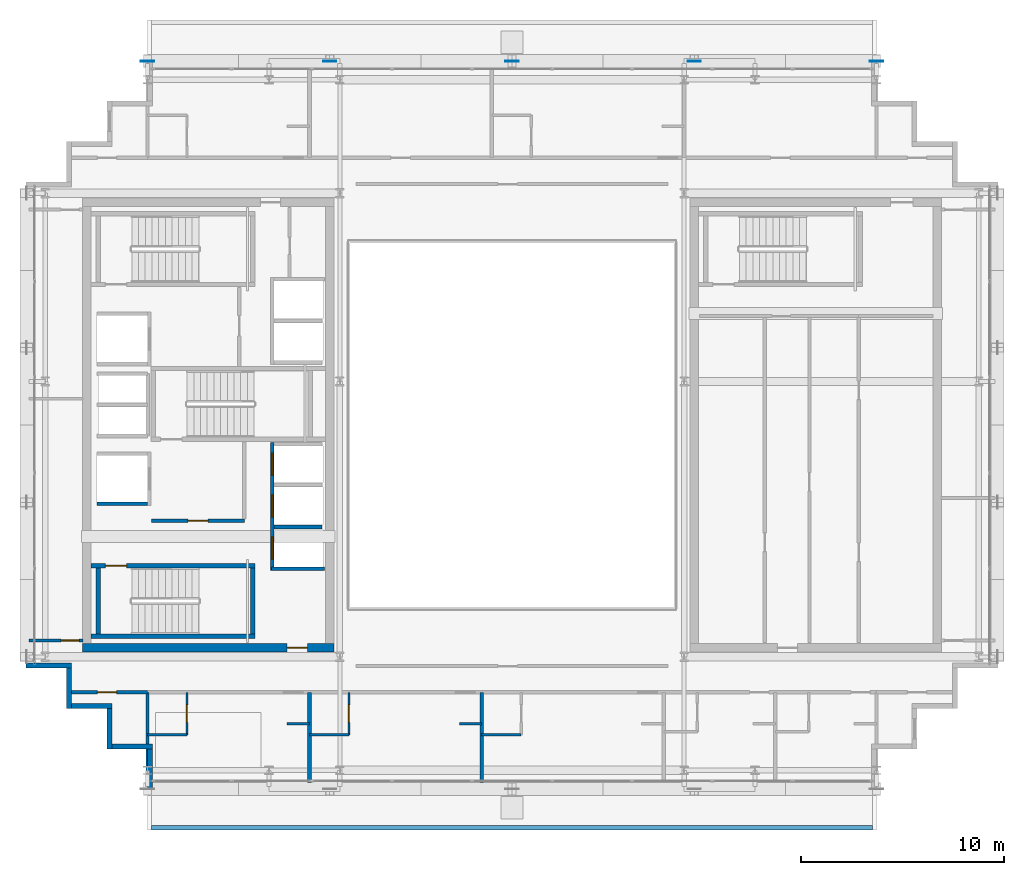
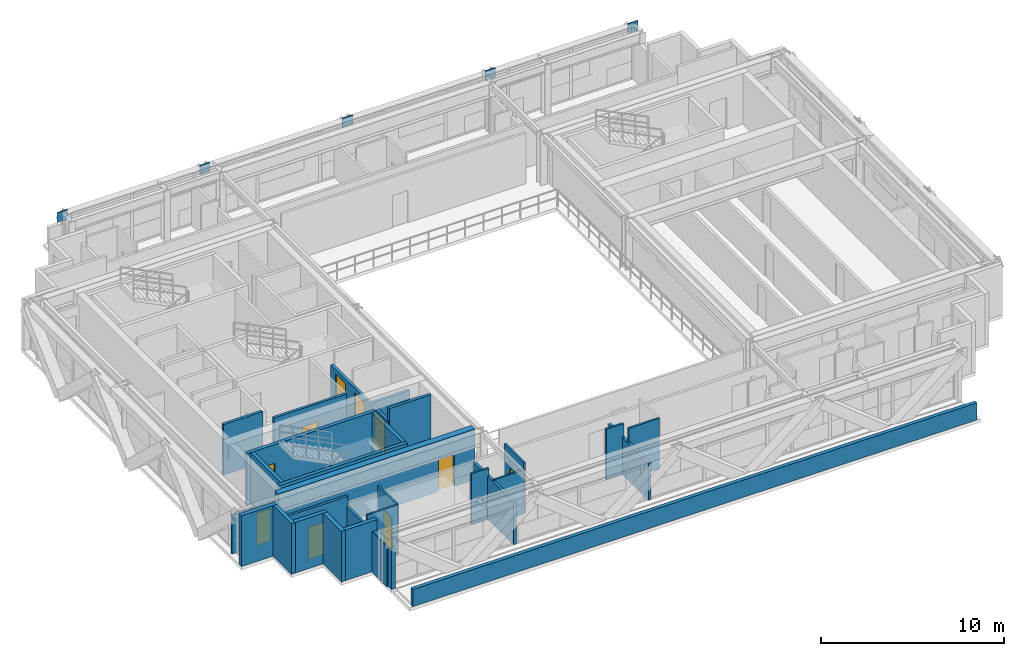
# One storey, part 19 of 27: 29 walls, 10 doors, 5 plates, 10 openings.
"""IFC4 building model written with IfcOpenShell, lengths in metres."""

import ifcopenshell
import ifcopenshell.guid

model = None  # the IFC model being written
_history = None  # IfcOwnerHistory: only IFC2X3 demands one
_inside = {}  # id of a spatial element -> (the spatial element, [elements in it])
_under = {}  # id of a project, library or spatial element -> (it, [spatial elements below it])
_declared = {}  # id of a project -> (the project, [libraries it declares])
_typed = {}  # id of a type object -> (the type object, [elements of that type])
_made_of = {}  # id of a material, layer set ... -> (it, [elements and type objects made of it])


def new_model(schema):
    """Start an empty IFC model of exactly this schema.

    Asked for "IFC4X3", IfcOpenShell would pick the latest addendum, in which some entities
    have other attributes; the version numbers below select the first issue.
    IFC2X3 requires an IfcOwnerHistory on every rooted entity: one is made here for all.
    """
    global model, _history
    if schema == "IFC4X3":
        model = ifcopenshell.file(schema_version=(4, 3, 0, 0))
    else:
        model = ifcopenshell.file(schema=schema)
    _inside.clear()
    _under.clear()
    _declared.clear()
    _typed.clear()
    _made_of.clear()
    _history = None
    if model.schema == "IFC2X3":
        org = make("IfcOrganization", Name="unknown")
        user = make(
            "IfcPersonAndOrganization",
            ThePerson=make("IfcPerson", FamilyName="unknown"),
            TheOrganization=org,
        )
        app = make(
            "IfcApplication",
            ApplicationDeveloper=org,
            Version="unknown",
            ApplicationFullName="unknown",
            ApplicationIdentifier="unknown",
        )
        _history = make(
            "IfcOwnerHistory",
            OwningUser=user,
            OwningApplication=app,
            ChangeAction="ADDED",
            CreationDate=0,
        )
    return model


def make(cls, **values):
    """One entity of the class cls with the attributes given. An attribute that is None is left unset."""
    return model.create_entity(
        cls, **{name: value for name, value in values.items() if value is not None}
    )


def rooted(cls, **values):
    """An entity with a GlobalId (a new one), such as an element, a storey or a relation."""
    return make(cls, GlobalId=ifcopenshell.guid.new(), OwnerHistory=_history, **values)


def si_unit(unit_type, name, prefix=None):
    """IfcSIUnit, for example si_unit("LENGTHUNIT", "METRE", prefix="MILLI")."""
    return make("IfcSIUnit", UnitType=unit_type, Prefix=prefix, Name=name)


def assignment(units):
    """IfcUnitAssignment: the units of a project."""
    return None if units is None else make("IfcUnitAssignment", Units=units)


def point(xyz):
    """IfcCartesianPoint."""
    return None if xyz is None else make("IfcCartesianPoint", Coordinates=xyz)


def direction(xyz):
    """IfcDirection."""
    return None if xyz is None else make("IfcDirection", DirectionRatios=xyz)


def frame(location, z_axis=None, x_axis=None):
    """IfcAxis2Placement3D, a coordinate frame: its origin and axes. An axis left out is left unset."""
    return make(
        "IfcAxis2Placement3D",
        Location=point(location),
        Axis=direction(z_axis),
        RefDirection=direction(x_axis),
    )


def frame_2d(location, x_axis=None):
    """IfcAxis2Placement2D, a coordinate frame in the plane: its origin and x axis."""
    return make(
        "IfcAxis2Placement2D", Location=point(location), RefDirection=direction(x_axis)
    )


def origin():
    """The frame at (0, 0, 0) with its axes left unset."""
    return frame((0.0, 0.0, 0.0))


def origin_2d():
    """The frame at (0, 0) in the plane with its x axis left unset."""
    return frame_2d((0.0, 0.0))


def place(relative_to, where):
    """IfcLocalPlacement: puts the frame where relative to a parent placement (None: the world)."""
    return make(
        "IfcLocalPlacement", PlacementRelTo=relative_to, RelativePlacement=where
    )


def context(
    kind, dimensions, precision=None, world=None, true_north=None, identifier=None
):
    """IfcGeometricRepresentationContext, for example the 3D "Model" context."""
    return make(
        "IfcGeometricRepresentationContext",
        ContextIdentifier=identifier,
        ContextType=kind,
        CoordinateSpaceDimension=dimensions,
        Precision=precision,
        WorldCoordinateSystem=world,
        TrueNorth=true_north,
    )


def subcontext(parent, identifier, kind, view, scale=None):
    """IfcGeometricRepresentationSubContext, for example "Body" below "Model"."""
    return make(
        "IfcGeometricRepresentationSubContext",
        ContextIdentifier=identifier,
        ContextType=kind,
        ParentContext=parent,
        TargetScale=scale,
        TargetView=view,
    )


def project(units=None, contexts=None):
    """IfcProject with its units and contexts."""
    return rooted(
        "IfcProject",
        Name="project",
        RepresentationContexts=contexts,
        UnitsInContext=assignment(units),
    )


def spatial(cls, under=None, at=None, **own):
    """A site, building, storey or space (cls), placed at a placement, below another one or the project."""
    s = rooted(cls, ObjectPlacement=at, **own)
    if under is not None:
        _under.setdefault(under.id(), (under, []))[1].append(s)
    return s


def profile(cls, at=None, kind="AREA", **sizes):
    """A parametric profile (cls). Its sizes go by their IFC names, for example OverallWidth=200.0."""
    return make(cls, ProfileType=kind, Position=at, **sizes)


def rectangle(**sizes):
    """IfcRectangleProfileDef."""
    return profile("IfcRectangleProfileDef", **sizes)


def extrude(swept, where, along, depth):
    """IfcExtrudedAreaSolid: the profile swept, set in the frame where, extruded along a direction by depth."""
    return make(
        "IfcExtrudedAreaSolid",
        SweptArea=swept,
        Position=where,
        ExtrudedDirection=direction(along),
        Depth=depth,
    )


def shape(context_of_items, identifier, shape_type, items):
    """IfcShapeRepresentation: the items that make up one representation, for example the "Body"."""
    return make(
        "IfcShapeRepresentation",
        ContextOfItems=context_of_items,
        RepresentationIdentifier=identifier,
        RepresentationType=shape_type,
        Items=items,
    )


def source(mapping_origin, context_of_items, identifier, shape_type, items):
    """IfcRepresentationMap: a shape defined once, which mapped items show again and again."""
    return make(
        "IfcRepresentationMap",
        MappingOrigin=mapping_origin,
        MappedRepresentation=shape(context_of_items, identifier, shape_type, items),
    )


def transform(
    local_origin,
    x_axis=None,
    y_axis=None,
    z_axis=None,
    scale=None,
    scale2=None,
    scale3=None,
    uniform=True,
):
    """IfcCartesianTransformationOperator3D, or its non-uniform kind. x_axis, y_axis, z_axis: its Axis1, 2, 3."""
    if uniform:
        return make(
            "IfcCartesianTransformationOperator3D",
            Axis1=direction(x_axis),
            Axis2=direction(y_axis),
            LocalOrigin=point(local_origin),
            Scale=scale,
            Axis3=direction(z_axis),
        )
    return make(
        "IfcCartesianTransformationOperator3DnonUniform",
        Axis1=direction(x_axis),
        Axis2=direction(y_axis),
        LocalOrigin=point(local_origin),
        Scale=scale,
        Axis3=direction(z_axis),
        Scale2=scale2,
        Scale3=scale3,
    )


def mapped(mapping_source, mapping_target):
    """IfcMappedItem: shows the shape of a source again, moved by a transform."""
    return make(
        "IfcMappedItem", MappingSource=mapping_source, MappingTarget=mapping_target
    )


def material(Name=None, Category=None):
    """IfcMaterial."""
    return make("IfcMaterial", Name=Name, Category=Category)


def layer(
    of_material, thickness, ventilated=None, Name=None, Category=None, Priority=None
):
    """IfcMaterialLayer: one layer of a wall or slab, of a material (None: an air gap)."""
    return make(
        "IfcMaterialLayer",
        Material=of_material,
        LayerThickness=thickness,
        IsVentilated=ventilated,
        Name=Name,
        Category=Category,
        Priority=Priority,
    )


def layer_set(layers, Name=None):
    """IfcMaterialLayerSet."""
    return make("IfcMaterialLayerSet", MaterialLayers=layers, LayerSetName=Name)


def made_of(thing, what):
    """Note that an element or type object is made of a material, layer set ...; save() writes the relation."""
    if what is not None:
        _made_of.setdefault(what.id(), (what, []))[1].append(thing)
    return thing


def type_object(cls, material=None, **own):
    """A type object (cls), such as IfcWallType, which elements share."""
    return made_of(rooted(cls, **own), material)


def element(
    cls,
    number,
    at=None,
    inside=None,
    cuts=None,
    type_object=None,
    material=None,
    context=None,
    identifier="Body",
    shape_type=None,
    held_by="IfcProductDefinitionShape",
    body=None,
    shapes=None,
    **own,
):
    """One element of the class cls, such as IfcWall. Its Tag is "e" and its number.

    at: its placement. inside: the storey or other place that contains it. cuts: it is an
    opening in that element (IfcRelVoidsElement). A single representation is given by context,
    identifier, shape_type and body (its items); several are given by shapes. held_by: the class
    of the entity that holds the representations. save() writes the other relations.
    """
    e = rooted(cls, Tag="e%d" % number, ObjectPlacement=at, **own)
    if body is not None:
        shapes = [shape(context, identifier, shape_type, body)]
    if shapes is not None:
        e.Representation = make(held_by, Representations=shapes)
    if inside is not None:
        _inside.setdefault(inside.id(), (inside, []))[1].append(e)
    if cuts is not None:
        rooted(
            "IfcRelVoidsElement", RelatingBuildingElement=cuts, RelatedOpeningElement=e
        )
    if type_object is not None:
        _typed.setdefault(type_object.id(), (type_object, []))[1].append(e)
    return made_of(e, material)


def fill(opening, filler):
    """IfcRelFillsElement: the door or window that sits in an opening."""
    return rooted(
        "IfcRelFillsElement",
        RelatingOpeningElement=opening,
        RelatedBuildingElement=filler,
    )


def aggregate(whole, parts):
    """IfcRelAggregates: a whole, such as a stair, and the parts it consists of."""
    return rooted("IfcRelAggregates", RelatingObject=whole, RelatedObjects=parts)


def save(model, path):
    """Write the relations noted so far, then the file.

    IfcRelAggregates (storeys below a building ...), IfcRelContainedInSpatialStructure (elements
    in a storey), IfcRelDefinesByType, IfcRelAssociatesMaterial and IfcRelDeclares: one each for
    every whole, place, type object, material and project.
    """
    for whole, parts in _under.values():
        aggregate(whole, parts)
    for where, things in _inside.values():
        rooted(
            "IfcRelContainedInSpatialStructure",
            RelatedElements=things,
            RelatingStructure=where,
        )
    for kind, things in _typed.values():
        rooted("IfcRelDefinesByType", RelatedObjects=things, RelatingType=kind)
    for what, things in _made_of.values():
        rooted("IfcRelAssociatesMaterial", RelatedObjects=things, RelatingMaterial=what)
    for by, libraries in _declared.values():
        rooted("IfcRelDeclares", RelatingContext=by, RelatedDefinitions=libraries)
    model.write(path)


model = new_model("IFC4")

# Units and contexts
model_context = context("Model", 3, precision=1e-05, world=origin(), true_north=direction((0.0, 1.0)))
body_context = subcontext(model_context, "Body", "Model", "MODEL_VIEW")
ifc_project = project(units=[si_unit("LENGTHUNIT", "METRE"), si_unit("AREAUNIT", "SQUARE_METRE"), si_unit("VOLUMEUNIT", "CUBIC_METRE"), si_unit("PLANEANGLEUNIT", "RADIAN"), si_unit("MASSUNIT", "GRAM", prefix="KILO")], contexts=[model_context])

# Site, building, storey
site_placement = place(None, origin())
site = spatial("IfcSite", under=ifc_project, at=site_placement, CompositionType="ELEMENT")
building_placement = place(site_placement, origin())
building = spatial("IfcBuilding", under=site, at=building_placement, Name="Ocotamira Hotel", CompositionType="ELEMENT")
storey_placement = place(building_placement, frame((0.0, 0.0, 232.800048828125)))
storey = spatial("IfcBuildingStorey", under=building, at=storey_placement, Name="L58", CompositionType="ELEMENT", Elevation=232.800048828125)

# Plates
ifc_material_1 = material(Name="Pale-metal coated steel ASTM A572 Grade 50", Category="steel")
ifc_layer_1 = layer(ifc_material_1, 0.0400390625)
ifc_layer_set_1 = layer_set([ifc_layer_1], Name="Pale-metal coated steel ASTM A572 Grade 50")
plate_type = type_object("IfcPlateType", Name="PLT-GUSSET-40", PredefinedType="SHEET", material=ifc_layer_set_1)
shared_shape_1 = source(origin(), body_context, "Body", "SweptSolid", [
    extrude(rectangle(XDim=0.64990234375, YDim=0.0400390625, at=origin_2d()), origin(), (0.0, 0.0, 1.0), 0.64990234375),
])
for number, where, z_axis, x_axis, name in (
    (1, (14.0, 43.969970703125, 2.804931640625), (0.0, 0.0, 1.0), (-1.0, 0.0, 0.0), "L58 Exoskeleton Diagrid N0.1 End Gusset B"),
    (2, (23.0, 43.969970703125, 2.804931640625), (0.0, 0.0, 1.0), (1.0, 0.0, 0.0), "L58 Exoskeleton Diagrid N0.2 End Gusset B"),
    (3, (32.0, 43.969970703125, 2.804931640625), (0.0, 0.0, 1.0), (1.0, 0.0, 0.0), "L58 Exoskeleton Diagrid N1.2 End Gusset B"),
    (4, (41.0, 43.969970703125, 2.804931640625), (0.0, 0.0, 1.0), (1.0, 0.0, 0.0), "L58 Exoskeleton Diagrid N2.2 End Gusset B"),
    (5, (50.0, 43.969970703125, 2.804931640625), (0.0, 0.0, 1.0), (1.0, 0.0, 0.0), "L58 Exoskeleton Diagrid N3.2 End Gusset B"),
):
    element("IfcPlate", number, at=place(storey_placement, frame(where, z_axis=z_axis, x_axis=x_axis)), inside=storey, type_object=plate_type, Name=name, PredefinedType="SHEET", context=body_context, shape_type="MappedRepresentation", body=[
        mapped(shared_shape_1, transform((0.0, 0.0, 0.0), scale=1.0)),
    ])

# Wall, opening, door
ifc_material_2 = material(Name="Concrete C50/60", Category="concrete")
ifc_layer_2 = layer(ifc_material_2, 0.39990234375)
ifc_layer_set_2 = layer_set([ifc_layer_2], Name="Concrete C50/60")
wall_type_1 = type_object("IfcWallType", Name="WL-CORE-400", PredefinedType="SHEAR", material=ifc_layer_set_2)
wall_1_placement = place(storey_placement, frame((10.800048828125, 15.0, 0.0), z_axis=(0.0, 0.0, 1.0), x_axis=(1.0, 0.0, 0.0)))
wall_1 = element("IfcWall", 6, at=wall_1_placement, inside=storey, type_object=wall_type_1, Name="L58 Shear Core Wall WCORE-S", PredefinedType="SHEAR", context=body_context, shape_type="SweptSolid", body=[
    extrude(rectangle(XDim=12.39990234375, YDim=0.39990234375, at=frame_2d((6.199951171875, 0.0))), origin(), (0.0, 0.0, 1.0), 3.3798828125),
])
opening_1_placement = place(wall_1_placement, frame((10.10009765625, 0.0, 0.0)))
opening_1 = element("IfcOpeningElement", 7, at=opening_1_placement, cuts=wall_1, Name="Opening D-FR2", PredefinedType="OPENING", context=body_context, shape_type="SweptSolid", body=[
    extrude(rectangle(XDim=1.0, YDim=2.14990234375, at=frame_2d((0.5, 1.074951171875))), frame((0.0, 0.2099609375, 0.0), z_axis=(0.0, -1.0, 0.0), x_axis=(1.0, 0.0, 0.0)), (0.0, 0.0, 1.0), 0.419921875),
])
ifc_material_3 = material(Name="Fire-rated acoustic timber-veneer door", Category="wood")
door_type_1 = type_object("IfcDoorType", Name="DR-FIRE-1000", OperationType="NOTDEFINED", PredefinedType="DOOR", material=ifc_material_3)
shared_shape_2 = source(origin(), body_context, "Body", "SweptSolid", [
    extrude(rectangle(XDim=1.0, YDim=2.14990234375, at=frame_2d((0.5, 1.074951171875))), frame((0.0, 0.02490234375, 0.0), z_axis=(0.0, -1.0, 0.0), x_axis=(1.0, 0.0, 0.0)), (0.0, 0.0, 1.0), 0.050048828125),
])
door_1_placement = place(opening_1_placement, origin())
door_1 = element("IfcDoor", 8, at=door_1_placement, inside=storey, type_object=door_type_1, Name="L58 Door ID-L58-WLOB-S-D [ID-L58-WLOB-S-D]", OperationType="SINGLE_SWING_LEFT", OverallHeight=2.14990234375, OverallWidth=1.0, PredefinedType="DOOR", context=body_context, shape_type="MappedRepresentation", body=[
    mapped(shared_shape_2, transform((0.0, 0.0, 0.0), scale=1.0)),
])
fill(opening_1, door_1)

# Walls
ifc_material_4 = material(Name="Precast concrete C45/55", Category="concrete")
ifc_layer_3 = layer(ifc_material_4, 0.25)
ifc_layer_set_3 = layer_set([ifc_layer_3], Name="Precast concrete C45/55")
wall_type_2 = type_object("IfcWallType", Name="WL-EXT-SER-250", PredefinedType="SOLIDWALL", material=ifc_layer_set_3)
wall_2_placement = place(storey_placement, frame((8.0, 14.125, 0.0), z_axis=(0.0, 0.0, 1.0), x_axis=(1.0, 0.0, 0.0)))
element("IfcWall", 9, at=wall_2_placement, inside=storey, type_object=wall_type_2, Name="L58 Serrated Corner Wall 19", PredefinedType="SOLIDWALL", context=body_context, shape_type="SweptSolid", body=[
    extrude(rectangle(XDim=2.25, YDim=0.25, at=frame_2d((1.125, 0.0))), origin(), (0.0, 0.0, 1.0), 3.3798828125),
])
for number, where, z_axis, x_axis, name in (
    (10, (10.125, 14.0, 0.0), (0.0, 0.0, 1.0), (0.0, -1.0, 0.0), "L58 Serrated Corner Wall 20"),
    (11, (10.25, 12.125, 0.0), (0.0, 0.0, 1.0), (1.0, 0.0, 0.0), "L58 Serrated Corner Wall 21"),
    (12, (12.125, 12.0, 0.0), (0.0, 0.0, 1.0), (0.0, -1.0, 0.0), "L58 Serrated Corner Wall 22"),
    (13, (12.25, 10.125, 0.0), (0.0, 0.0, 1.0), (1.0, 0.0, 0.0), "L58 Serrated Corner Wall 23"),
):
    element("IfcWall", number, at=place(storey_placement, frame(where, z_axis=z_axis, x_axis=x_axis)), inside=storey, type_object=wall_type_2, Name=name, PredefinedType="SOLIDWALL", context=body_context, shape_type="SweptSolid", body=[
        extrude(rectangle(XDim=2.0, YDim=0.25, at=frame_2d((1.0, 0.0))), origin(), (0.0, 0.0, 1.0), 3.3798828125),
    ])
wall_3_placement = place(storey_placement, frame((14.125, 10.0, 0.0), z_axis=(0.0, 0.0, 1.0), x_axis=(0.0, -1.0, 0.0)))
element("IfcWall", 14, at=wall_3_placement, inside=storey, type_object=wall_type_2, Name="L58 Serrated Corner Wall 24", PredefinedType="SOLIDWALL", context=body_context, shape_type="SweptSolid", body=[
    extrude(rectangle(XDim=2.0, YDim=0.25, at=frame_2d((1.0, 0.0))), origin(), (0.0, 0.0, 1.0), 2.68701171875),
])

# Wall, opening, door
ifc_material_5 = material(Name="Acoustic double-layer fire gypsum board partition", Category="gypsum")
ifc_layer_4 = layer(ifc_material_5, 0.159912109375)
ifc_layer_set_4 = layer_set([ifc_layer_4], Name="Acoustic double-layer fire gypsum board partition")
wall_type_3 = type_object("IfcWallType", Name="WL-FIRE-160", PredefinedType="PARTITIONING", material=ifc_layer_set_4)
wall_4_placement = place(storey_placement, frame((14.199951171875, 21.27001953125, 0.0), z_axis=(0.0, 0.0, 1.0), x_axis=(1.0, 0.0, 0.0)))
wall_4 = element("IfcWall", 15, at=wall_4_placement, inside=storey, type_object=wall_type_3, Name="L58 Interior Wall PW-L58-FSAE1-S", PredefinedType="PARTITIONING", context=body_context, shape_type="SweptSolid", body=[
    extrude(rectangle(XDim=4.580078125, YDim=0.159912109375, at=frame_2d((2.2900390625, 0.0))), origin(), (0.0, 0.0, 1.0), 3.3798828125),
])
opening_2_placement = place(wall_4_placement, frame((1.800048828125, 0.0, 0.0)))
opening_2 = element("IfcOpeningElement", 16, at=opening_2_placement, cuts=wall_4, Name="Opening D-FR2", PredefinedType="OPENING", context=body_context, shape_type="SweptSolid", body=[
    extrude(rectangle(XDim=1.0, YDim=2.14990234375, at=frame_2d((0.5, 1.074951171875))), frame((0.0, 0.08984375, 0.0), z_axis=(0.0, -1.0, 0.0), x_axis=(1.0, 0.0, 0.0)), (0.0, 0.0, 1.0), 0.179931640625),
])
door_2_placement = place(opening_2_placement, origin())
door_2 = element("IfcDoor", 17, at=door_2_placement, inside=storey, type_object=door_type_1, Name="L58 Door ID-L58-FSAE1-D [ID-L58-FSAE1-D]", OperationType="SINGLE_SWING_LEFT", OverallHeight=2.14990234375, OverallWidth=1.0, PredefinedType="DOOR", context=body_context, shape_type="MappedRepresentation", body=[
    mapped(shared_shape_2, transform((0.0, 0.0, 0.0), scale=1.0)),
])
fill(opening_2, door_2)

wall_5_placement = place(storey_placement, frame((10.0, 12.800048828125, 0.0), z_axis=(0.0, 0.0, 1.0), x_axis=(1.0, 0.0, 0.0)))
wall_5 = element("IfcWall", 18, at=wall_5_placement, inside=storey, type_object=wall_type_3, Name="L58 Interior Wall PW-L58-Z4CSW-CW", PredefinedType="PARTITIONING", context=body_context, shape_type="SweptSolid", body=[
    extrude(rectangle(XDim=4.0, YDim=0.159912109375, at=frame_2d((2.0, 0.0))), origin(), (0.0, 0.0, 1.0), 3.3798828125),
])
opening_3_placement = place(wall_5_placement, frame((1.52001953125, 0.0, 0.0)))
opening_3 = element("IfcOpeningElement", 19, at=opening_3_placement, cuts=wall_5, Name="Opening D-SV4", PredefinedType="OPENING", context=body_context, shape_type="SweptSolid", body=[
    extrude(rectangle(XDim=0.9599609375, YDim=2.14990234375, at=frame_2d((0.47998046875, 1.074951171875))), frame((0.0, 0.08984375, 0.0), z_axis=(0.0, -1.0, 0.0), x_axis=(1.0, 0.0, 0.0)), (0.0, 0.0, 1.0), 0.179931640625),
])
ifc_material_6 = material(Name="Fire-rated accessible walnut salon door", Category="wood")
door_type_2 = type_object("IfcDoorType", Name="DR-SERV-960", OperationType="NOTDEFINED", PredefinedType="DOOR", material=ifc_material_6)
shared_shape_3 = source(origin(), body_context, "Body", "SweptSolid", [
    extrude(rectangle(XDim=0.9599609375, YDim=2.14990234375, at=frame_2d((0.47998046875, 1.074951171875))), frame((0.0, 0.02490234375, 0.0), z_axis=(0.0, -1.0, 0.0), x_axis=(1.0, 0.0, 0.0)), (0.0, 0.0, 1.0), 0.050048828125),
])
door_3_placement = place(opening_3_placement, origin())
door_3 = element("IfcDoor", 20, at=door_3_placement, inside=storey, type_object=door_type_2, Name="L58 Door ID-L58-Z4CSW-CD [ID-L58-Z4CSW-CD]", OperationType="SINGLE_SWING_LEFT", OverallHeight=2.14990234375, OverallWidth=0.9599609375, PredefinedType="DOOR", context=body_context, shape_type="MappedRepresentation", body=[
    mapped(shared_shape_3, transform((0.0, 0.0, 0.0), scale=1.0)),
])
fill(opening_3, door_3)

# Wall
ifc_layer_5 = layer(ifc_material_4, 0.219970703125)
ifc_layer_set_5 = layer_set([ifc_layer_5], Name="Precast concrete C45/55")
wall_type_4 = type_object("IfcWallType", Name="WL-PARA-220", PredefinedType="PARAPET", material=ifc_layer_set_5)
wall_6_placement = place(storey_placement, frame((14.199951171875, 6.1201171875, 0.0), z_axis=(0.0, 0.0, 1.0), x_axis=(1.0, 0.0, 0.0)))
element("IfcWall", 21, at=wall_6_placement, inside=storey, type_object=wall_type_4, Name="L58 Roof Parapet Wall Z4S", PredefinedType="PARAPET", context=body_context, shape_type="SweptSolid", body=[
    extrude(rectangle(XDim=35.60009765625, YDim=0.219970703125, at=frame_2d((17.800048828125, 0.0))), origin(), (0.0, 0.0, 1.0), 1.14990234375),
])

# Wall, opening, door
ifc_material_7 = material(Name="Moisture-resistant en-suite tile and gypsum partition", Category="gypsum")
ifc_layer_6 = layer(ifc_material_7, 0.1201171875)
ifc_layer_set_6 = layer_set([ifc_layer_6], Name="Moisture-resistant en-suite tile and gypsum partition")
wall_type_5 = type_object("IfcWallType", Name="WL-PART-120", PredefinedType="PARTITIONING", material=ifc_layer_set_6)
wall_7_placement = place(storey_placement, frame((15.949951171875, 10.699951171875, 0.0), z_axis=(0.0, 0.0, 1.0), x_axis=(0.0, 1.0, 0.0)))
wall_7 = element("IfcWall", 22, at=wall_7_placement, inside=storey, type_object=wall_type_5, Name="L58 Interior Wall PW-L58-Z4AS-BAE1", PredefinedType="PARTITIONING", context=body_context, shape_type="SweptSolid", body=[
    extrude(rectangle(XDim=2.10009765625, YDim=0.1201171875, at=frame_2d((1.050048828125, 0.0))), origin(), (0.0, 0.0, 1.0), 3.3798828125),
])
opening_4_placement = place(wall_7_placement, frame((0.6201171875, 0.0, 0.0)))
opening_4 = element("IfcOpeningElement", 23, at=opening_4_placement, cuts=wall_7, Name="Opening D-BA1", PredefinedType="OPENING", context=body_context, shape_type="SweptSolid", body=[
    extrude(rectangle(XDim=0.860107421875, YDim=2.10009765625, at=frame_2d((0.43017578125, 1.050048828125))), frame((0.0, 0.070068359375, 0.0), z_axis=(0.0, -1.0, 0.0), x_axis=(1.0, 0.0, 0.0)), (0.0, 0.0, 1.0), 0.14013671875),
])
ifc_material_8 = material(Name="Moisture-sealed en-suite timber door", Category="wood")
door_type_3 = type_object("IfcDoorType", Name="DR-BATH-860", OperationType="NOTDEFINED", PredefinedType="DOOR", material=ifc_material_8)
shared_shape_4 = source(origin(), body_context, "Body", "SweptSolid", [
    extrude(rectangle(XDim=0.860107421875, YDim=2.10009765625, at=frame_2d((0.43017578125, 1.050048828125))), frame((0.0, 0.02490234375, 0.0), z_axis=(0.0, -1.0, 0.0), x_axis=(1.0, 0.0, 0.0)), (0.0, 0.0, 1.0), 0.050048828125),
])
door_4_placement = place(opening_4_placement, origin())
door_4 = element("IfcDoor", 24, at=door_4_placement, inside=storey, type_object=door_type_3, Name="L58 Door ID-L58-Z4AS-BAD1 [ID-L58-Z4AS-BAD1]", OperationType="SINGLE_SWING_RIGHT", OverallHeight=2.10009765625, OverallWidth=0.860107421875, PredefinedType="DOOR", context=body_context, shape_type="MappedRepresentation", body=[
    mapped(shared_shape_4, transform((0.0, 0.0, 0.0), scale=1.0)),
])
fill(opening_4, door_4)

# Walls
wall_8_placement = place(storey_placement, frame((14.0, 10.699951171875, 0.0), z_axis=(0.0, 0.0, 1.0), x_axis=(1.0, 0.0, 0.0)))
element("IfcWall", 25, at=wall_8_placement, inside=storey, type_object=wall_type_5, Name="L58 Interior Wall PW-L58-Z4AS-BAS1", PredefinedType="PARTITIONING", context=body_context, shape_type="SweptSolid", body=[
    extrude(rectangle(XDim=1.949951171875, YDim=0.1201171875, at=frame_2d((0.97509765625, 0.0))), origin(), (0.0, 0.0, 1.0), 3.3798828125),
])
wall_9_placement = place(storey_placement, frame((20.89990234375, 11.25, 0.0), z_axis=(0.0, 0.0, 1.0), x_axis=(1.0, 0.0, 0.0)))
element("IfcWall", 26, at=wall_9_placement, inside=storey, type_object=wall_type_5, Name="L58 Interior Wall PW-L58-Z4AS-DRN1", PredefinedType="PARTITIONING", context=body_context, shape_type="SweptSolid", body=[
    extrude(rectangle(XDim=1.10009765625, YDim=0.1201171875, at=frame_2d((0.550048828125, 0.0))), origin(), (0.0, 0.0, 1.0), 3.3798828125),
])

# Wall, opening, door
wall_10_placement = place(storey_placement, frame((23.949951171875, 10.699951171875, 0.0), z_axis=(0.0, 0.0, 1.0), x_axis=(0.0, 1.0, 0.0)))
wall_10 = element("IfcWall", 27, at=wall_10_placement, inside=storey, type_object=wall_type_5, Name="L58 Interior Wall PW-L58-Z4AS-BAE2", PredefinedType="PARTITIONING", context=body_context, shape_type="SweptSolid", body=[
    extrude(rectangle(XDim=2.10009765625, YDim=0.1201171875, at=frame_2d((1.050048828125, 0.0))), origin(), (0.0, 0.0, 1.0), 3.3798828125),
])
opening_5_placement = place(wall_10_placement, frame((0.6201171875, 0.0, 0.0)))
opening_5 = element("IfcOpeningElement", 28, at=opening_5_placement, cuts=wall_10, Name="Opening D-BA1", PredefinedType="OPENING", context=body_context, shape_type="SweptSolid", body=[
    extrude(rectangle(XDim=0.860107421875, YDim=2.10009765625, at=frame_2d((0.43017578125, 1.050048828125))), frame((0.0, 0.070068359375, 0.0), z_axis=(0.0, -1.0, 0.0), x_axis=(1.0, 0.0, 0.0)), (0.0, 0.0, 1.0), 0.14013671875),
])
door_5_placement = place(opening_5_placement, origin())
door_5 = element("IfcDoor", 29, at=door_5_placement, inside=storey, type_object=door_type_3, Name="L58 Door ID-L58-Z4AS-BAD2 [ID-L58-Z4AS-BAD2]", OperationType="SINGLE_SWING_LEFT", OverallHeight=2.10009765625, OverallWidth=0.860107421875, PredefinedType="DOOR", context=body_context, shape_type="MappedRepresentation", body=[
    mapped(shared_shape_4, transform((0.0, 0.0, 0.0), scale=1.0)),
])
fill(opening_5, door_5)

# Walls
wall_11_placement = place(storey_placement, frame((22.0, 10.699951171875, 0.0), z_axis=(0.0, 0.0, 1.0), x_axis=(1.0, 0.0, 0.0)))
element("IfcWall", 30, at=wall_11_placement, inside=storey, type_object=wall_type_5, Name="L58 Interior Wall PW-L58-Z4AS-BAS2", PredefinedType="PARTITIONING", context=body_context, shape_type="SweptSolid", body=[
    extrude(rectangle(XDim=1.949951171875, YDim=0.1201171875, at=frame_2d((0.97509765625, 0.0))), origin(), (0.0, 0.0, 1.0), 2.9228515625),
])
wall_12_placement = place(storey_placement, frame((29.39990234375, 11.25, 0.0), z_axis=(0.0, 0.0, 1.0), x_axis=(1.0, 0.0, 0.0)))
element("IfcWall", 31, at=wall_12_placement, inside=storey, type_object=wall_type_5, Name="L58 Interior Wall PW-L58-Z4AS-DRN2", PredefinedType="PARTITIONING", context=body_context, shape_type="SweptSolid", body=[
    extrude(rectangle(XDim=1.10009765625, YDim=0.1201171875, at=frame_2d((0.550048828125, 0.0))), origin(), (0.0, 0.0, 1.0), 3.3798828125),
])
wall_13_placement = place(storey_placement, frame((30.5, 10.699951171875, 0.0), z_axis=(0.0, 0.0, 1.0), x_axis=(1.0, 0.0, 0.0)))
element("IfcWall", 32, at=wall_13_placement, inside=storey, type_object=wall_type_5, Name="L58 Interior Wall PW-L58-Z4AS-BAS3", PredefinedType="PARTITIONING", context=body_context, shape_type="SweptSolid", body=[
    extrude(rectangle(XDim=1.949951171875, YDim=0.1201171875, at=frame_2d((0.97509765625, 0.0))), origin(), (0.0, 0.0, 1.0), 3.3798828125),
])

# Wall, opening, door
ifc_material_9 = material(Name="Acoustic hospitality gypsum board partition", Category="gypsum")
ifc_layer_7 = layer(ifc_material_9, 0.14990234375)
ifc_layer_set_7 = layer_set([ifc_layer_7], Name="Acoustic hospitality gypsum board partition")
wall_type_6 = type_object("IfcWallType", Name="WL-PART-150", PredefinedType="PARTITIONING", material=ifc_layer_set_7)
wall_14_placement = place(storey_placement, frame((8.159912109375, 15.360107421875, 0.0), z_axis=(0.0, 0.0, 1.0), x_axis=(1.0, 0.0, 0.0)))
wall_14 = element("IfcWall", 33, at=wall_14_placement, inside=storey, type_object=wall_type_6, Name="L58 Interior Wall PW-L58-Z4AW-WS", PredefinedType="PARTITIONING", context=body_context, shape_type="SweptSolid", body=[
    extrude(rectangle(XDim=2.66015625, YDim=0.14990234375, at=frame_2d((1.330078125, 0.0))), origin(), (0.0, 0.0, 1.0), 2.600830078125),
])
opening_6_placement = place(wall_14_placement, frame((1.580078125, 0.0, 0.0)))
opening_6 = element("IfcOpeningElement", 34, at=opening_6_placement, cuts=wall_14, Name="Opening D-SV2", PredefinedType="OPENING", context=body_context, shape_type="SweptSolid", body=[
    extrude(rectangle(XDim=0.8798828125, YDim=2.14990234375, at=frame_2d((0.43994140625, 1.074951171875))), frame((0.0, 0.0849609375, 0.0), z_axis=(0.0, -1.0, 0.0), x_axis=(1.0, 0.0, 0.0)), (0.0, 0.0, 1.0), 0.169921875),
])
ifc_material_10 = material(Name="Fire-rated painted steel service door", Category="steel")
door_type_4 = type_object("IfcDoorType", Name="DR-SERV-880", OperationType="NOTDEFINED", PredefinedType="DOOR", material=ifc_material_10)
shared_shape_5 = source(origin(), body_context, "Body", "SweptSolid", [
    extrude(rectangle(XDim=0.8798828125, YDim=2.14990234375, at=frame_2d((0.43994140625, 1.074951171875))), frame((0.0, 0.02490234375, 0.0), z_axis=(0.0, -1.0, 0.0), x_axis=(1.0, 0.0, 0.0)), (0.0, 0.0, 1.0), 0.050048828125),
])
door_6_placement = place(opening_6_placement, origin())
door_6 = element("IfcDoor", 35, at=door_6_placement, inside=storey, type_object=door_type_4, Name="L58 Door ID-L58-Z4AW-DS [ID-L58-Z4AW-DS]", OperationType="SINGLE_SWING_LEFT", OverallHeight=2.14990234375, OverallWidth=0.8798828125, PredefinedType="DOOR", context=body_context, shape_type="MappedRepresentation", body=[
    mapped(shared_shape_5, transform((0.0, 0.0, 0.0), scale=1.0)),
])
fill(opening_6, door_6)

# Walls
ifc_material_11 = material(Name="Acoustic double-stud hospitality gypsum partition", Category="gypsum")
ifc_layer_8 = layer(ifc_material_11, 0.159912109375)
ifc_layer_set_8 = layer_set([ifc_layer_8], Name="Acoustic double-stud hospitality gypsum partition")
wall_type_7 = type_object("IfcWallType", Name="WL-PART-160", PredefinedType="PARTITIONING", material=ifc_layer_set_8)
wall_15_placement = place(storey_placement, frame((14.0, 8.360107421875, 0.0), z_axis=(0.0, 0.0, 1.0), x_axis=(0.0, 1.0, 0.0)))
element("IfcWall", 36, at=wall_15_placement, inside=storey, type_object=wall_type_7, Name="L58 Interior Wall PW-L58-Z4AS-PW0", PredefinedType="PARTITIONING", context=body_context, shape_type="SweptSolid", body=[
    extrude(rectangle(XDim=4.43994140625, YDim=0.159912109375, at=frame_2d((2.219970703125, 0.0))), origin(), (0.0, 0.0, 1.0), 2.68701171875),
])
ifc_material_12 = material(Name="Double-stud suite party gypsum partition", Category="gypsum")
ifc_layer_9 = layer(ifc_material_12, 0.175048828125)
ifc_layer_set_9 = layer_set([ifc_layer_9], Name="Double-stud suite party gypsum partition")
wall_type_8 = type_object("IfcWallType", Name="WL-PART-175", PredefinedType="PARTITIONING", material=ifc_layer_set_9)
wall_16_placement = place(storey_placement, frame((22.0, 8.360107421875, 0.0), z_axis=(0.0, 0.0, 1.0), x_axis=(0.0, 1.0, 0.0)))
element("IfcWall", 37, at=wall_16_placement, inside=storey, type_object=wall_type_8, Name="L58 Interior Wall PW-L58-Z4AS-PW1", PredefinedType="PARTITIONING", context=body_context, shape_type="SweptSolid", body=[
    extrude(rectangle(XDim=4.43994140625, YDim=0.175048828125, at=frame_2d((2.219970703125, 0.0))), origin(), (0.0, 0.0, 1.0), 2.843017578125),
])
wall_17_placement = place(storey_placement, frame((30.5, 8.360107421875, 0.0), z_axis=(0.0, 0.0, 1.0), x_axis=(0.0, 1.0, 0.0)))
element("IfcWall", 38, at=wall_17_placement, inside=storey, type_object=wall_type_8, Name="L58 Interior Wall PW-L58-Z4AS-PW2", PredefinedType="PARTITIONING", context=body_context, shape_type="SweptSolid", body=[
    extrude(rectangle(XDim=4.43994140625, YDim=0.175048828125, at=frame_2d((2.219970703125, 0.0))), origin(), (0.0, 0.0, 1.0), 2.452880859375),
])

# Wall, openings, doors
ifc_material_13 = material(Name="Fire-rated gypsum shaftliner board assembly", Category="gypsum")
ifc_layer_10 = layer(ifc_material_13, 0.179931640625)
ifc_layer_set_10 = layer_set([ifc_layer_10], Name="Fire-rated gypsum shaftliner board assembly")
wall_type_9 = type_object("IfcWallType", Name="WL-SHAFT-180", PredefinedType="SOLIDWALL", material=ifc_layer_set_10)
wall_18_placement = place(storey_placement, frame((20.159912109375, 18.820068359375, 0.0), z_axis=(0.0, 0.0, 1.0), x_axis=(0.0, 1.0, 0.0)))
wall_18 = element("IfcWall", 39, at=wall_18_placement, inside=storey, type_object=wall_type_9, Name="L58 Interior Wall PW-L58-LFW-BANK-high-F", PredefinedType="SOLIDWALL", context=body_context, shape_type="SweptSolid", body=[
    extrude(rectangle(XDim=6.31982421875, YDim=0.179931640625, at=frame_2d((3.159912109375, 0.0))), origin(), (0.0, 0.0, 1.0), 2.47998046875),
])
opening_7_placement = place(wall_18_placement, frame((0.554931640625, 0.0, 0.0)))
opening_7 = element("IfcOpeningElement", 40, at=opening_7_placement, cuts=wall_18, Name="Opening LD-LF-P7", PredefinedType="OPENING", context=body_context, shape_type="SweptSolid", body=[
    extrude(rectangle(XDim=1.10009765625, YDim=2.199951171875, at=frame_2d((0.550048828125, 1.10009765625))), frame((0.0, 0.10009765625, 0.0), z_axis=(0.0, -1.0, 0.0), x_axis=(1.0, 0.0, 0.0)), (0.0, 0.0, 1.0), 0.199951171875),
])
opening_8_placement = place(wall_18_placement, frame((2.635009765625, 0.0, 0.0)))
opening_8 = element("IfcOpeningElement", 41, at=opening_8_placement, cuts=wall_18, Name="Opening LD-LF-P8", PredefinedType="OPENING", context=body_context, shape_type="SweptSolid", body=[
    extrude(rectangle(XDim=1.10009765625, YDim=2.199951171875, at=frame_2d((0.550048828125, 1.10009765625))), frame((0.0, 0.10009765625, 0.0), z_axis=(0.0, -1.0, 0.0), x_axis=(1.0, 0.0, 0.0)), (0.0, 0.0, 1.0), 0.199951171875),
])
opening_9_placement = place(wall_18_placement, frame((4.68994140625, 0.0, 0.0)))
opening_9 = element("IfcOpeningElement", 42, at=opening_9_placement, cuts=wall_18, Name="Opening LD-LF-P9", PredefinedType="OPENING", context=body_context, shape_type="SweptSolid", body=[
    extrude(rectangle(XDim=1.10009765625, YDim=2.199951171875, at=frame_2d((0.550048828125, 1.10009765625))), frame((0.0, 0.10009765625, 0.0), z_axis=(0.0, -1.0, 0.0), x_axis=(1.0, 0.0, 0.0)), (0.0, 0.0, 1.0), 0.199951171875),
])
ifc_material_14 = material(Name="Brushed pale-metal stainless elevator landing door", Category="steel")
door_type_5 = type_object("IfcDoorType", Name="DR-LIFT-1100", OperationType="NOTDEFINED", PredefinedType="DOOR", material=ifc_material_14)
shared_shape_6 = source(origin(), body_context, "Body", "SweptSolid", [
    extrude(rectangle(XDim=1.10009765625, YDim=2.199951171875, at=frame_2d((0.550048828125, 1.10009765625))), frame((0.0, 0.02490234375, 0.0), z_axis=(0.0, -1.0, 0.0), x_axis=(1.0, 0.0, 0.0)), (0.0, 0.0, 1.0), 0.050048828125),
])
door_7_placement = place(opening_7_placement, origin())
door_7 = element("IfcDoor", 43, at=door_7_placement, inside=storey, type_object=door_type_5, Name="L58 Landing Door LD-LF-P7 [ID-L58-LD-LF-P7]", OperationType="DOUBLE_DOOR_SLIDING", OverallHeight=2.199951171875, OverallWidth=1.10009765625, PredefinedType="DOOR", context=body_context, shape_type="MappedRepresentation", body=[
    mapped(shared_shape_6, transform((0.0, 0.0, 0.0), scale=1.0)),
])
fill(opening_7, door_7)
door_8_placement = place(opening_8_placement, origin())
door_8 = element("IfcDoor", 44, at=door_8_placement, inside=storey, type_object=door_type_5, Name="L58 Landing Door LD-LF-P8 [ID-L58-LD-LF-P8]", OperationType="DOUBLE_DOOR_SLIDING", OverallHeight=2.199951171875, OverallWidth=1.10009765625, PredefinedType="DOOR", context=body_context, shape_type="MappedRepresentation", body=[
    mapped(shared_shape_6, transform((0.0, 0.0, 0.0), scale=1.0)),
])
fill(opening_8, door_8)
door_9_placement = place(opening_9_placement, origin())
door_9 = element("IfcDoor", 45, at=door_9_placement, inside=storey, type_object=door_type_5, Name="L58 Landing Door LD-LF-P9 [ID-L58-LD-LF-P9]", OperationType="DOUBLE_DOOR_SLIDING", OverallHeight=2.199951171875, OverallWidth=1.10009765625, PredefinedType="DOOR", context=body_context, shape_type="MappedRepresentation", body=[
    mapped(shared_shape_6, transform((0.0, 0.0, 0.0), scale=1.0)),
])
fill(opening_9, door_9)

# Walls
wall_19_placement = place(storey_placement, frame((20.1201171875, 18.909912109375, 0.0), z_axis=(0.0, 0.0, 1.0), x_axis=(1.0, 0.0, 0.0)))
element("IfcWall", 46, at=wall_19_placement, inside=storey, type_object=wall_type_9, Name="L58 Interior Wall PW-L58-LFW-BANK-high-S", PredefinedType="SOLIDWALL", context=body_context, shape_type="SweptSolid", body=[
    extrude(rectangle(XDim=2.6298828125, YDim=0.179931640625, at=frame_2d((1.31494140625, 0.0))), origin(), (0.0, 0.0, 1.0), 3.3798828125),
])
wall_20_placement = place(storey_placement, frame((20.25, 20.965087890625, 0.0), z_axis=(0.0, 0.0, 1.0), x_axis=(1.0, 0.0, 0.0)))
element("IfcWall", 47, at=wall_20_placement, inside=storey, type_object=wall_type_9, Name="L58 Interior Wall PW-L58-LFW-DIV-LF-P7", PredefinedType="SOLIDWALL", context=body_context, shape_type="SweptSolid", body=[
    extrude(rectangle(XDim=2.360107421875, YDim=0.179931640625, at=frame_2d((1.18017578125, 0.0))), origin(), (0.0, 0.0, 1.0), 2.47998046875),
])
wall_21_placement = place(storey_placement, frame((11.5, 22.110107421875, 0.0), z_axis=(0.0, 0.0, 1.0), x_axis=(1.0, 0.0, 0.0)))
element("IfcWall", 48, at=wall_21_placement, inside=storey, type_object=wall_type_9, Name="L58 Interior Wall PW-L58-LFW-LF-FSAE1-S", PredefinedType="SOLIDWALL", context=body_context, shape_type="SweptSolid", body=[
    extrude(rectangle(XDim=2.5, YDim=0.179931640625, at=frame_2d((1.25, 0.0))), origin(), (0.0, 0.0, 1.0), 3.3798828125),
])
ifc_layer_11 = layer(ifc_material_2, 0.219970703125)
ifc_layer_set_11 = layer_set([ifc_layer_11], Name="Concrete C50/60")
wall_type_10 = type_object("IfcWallType", Name="WL-STAIR-220", PredefinedType="SHEAR", material=ifc_layer_set_11)
wall_22_placement = place(storey_placement, frame((11.199951171875, 15.56005859375, 0.0), z_axis=(0.0, 0.0, 1.0), x_axis=(1.0, 0.0, 0.0)))
element("IfcWall", 49, at=wall_22_placement, inside=storey, type_object=wall_type_10, Name="L58 Stair Shaft Structural Wall ST-1-S", PredefinedType="SHEAR", context=body_context, shape_type="SweptSolid", body=[
    extrude(rectangle(XDim=8.110107421875, YDim=0.219970703125, at=frame_2d((4.05517578125, 0.0))), origin(), (0.0, 0.0, 1.0), 3.39990234375),
])

# Wall, opening, door
wall_23_placement = place(storey_placement, frame((11.199951171875, 19.06005859375, 0.0), z_axis=(0.0, 0.0, 1.0), x_axis=(1.0, 0.0, 0.0)))
wall_23 = element("IfcWall", 50, at=wall_23_placement, inside=storey, type_object=wall_type_10, Name="L58 Stair Shaft Structural Wall ST-1-N", PredefinedType="SHEAR", context=body_context, shape_type="SweptSolid", body=[
    extrude(rectangle(XDim=8.110107421875, YDim=0.219970703125, at=frame_2d((4.05517578125, 0.0))), origin(), (0.0, 0.0, 1.0), 3.39990234375),
])
opening_10_placement = place(wall_23_placement, frame((0.719970703125, 0.0, 0.0)))
opening_10 = element("IfcOpeningElement", 51, at=opening_10_placement, cuts=wall_23, Name="Opening D-ST2", PredefinedType="OPENING", context=body_context, shape_type="SweptSolid", body=[
    extrude(rectangle(XDim=1.050048828125, YDim=2.14990234375, at=frame_2d((0.52490234375, 1.074951171875))), frame((0.0, 0.1201171875, 0.0), z_axis=(0.0, -1.0, 0.0), x_axis=(1.0, 0.0, 0.0)), (0.0, 0.0, 1.0), 0.239990234375),
])
ifc_material_15 = material(Name="Insulated painted hollow-metal fire exit door", Category="steel")
door_type_6 = type_object("IfcDoorType", Name="DR-STAIR-1050", OperationType="NOTDEFINED", PredefinedType="DOOR", material=ifc_material_15)
shared_shape_7 = source(origin(), body_context, "Body", "SweptSolid", [
    extrude(rectangle(XDim=1.050048828125, YDim=2.14990234375, at=frame_2d((0.52490234375, 1.074951171875))), frame((0.0, 0.02490234375, 0.0), z_axis=(0.0, -1.0, 0.0), x_axis=(1.0, 0.0, 0.0)), (0.0, 0.0, 1.0), 0.050048828125),
])
door_10_placement = place(opening_10_placement, origin())
door_10 = element("IfcDoor", 52, at=door_10_placement, inside=storey, type_object=door_type_6, Name="L58 Door ID-L58-STD-ST-1 [ID-L58-STD-ST-1]", OperationType="SINGLE_SWING_LEFT", OverallHeight=2.14990234375, OverallWidth=1.050048828125, PredefinedType="DOOR", context=body_context, shape_type="MappedRepresentation", body=[
    mapped(shared_shape_7, transform((0.0, 0.0, 0.0), scale=1.0)),
])
fill(opening_10, door_10)

# Walls
for number, where, z_axis, x_axis, name in (
    (53, (11.56005859375, 15.669921875, 0.0), (0.0, 0.0, 1.0), (0.0, 1.0, 0.0), "L58 Stair Shaft Structural Wall ST-1-W"),
    (54, (19.199951171875, 15.669921875, 0.0), (0.0, 0.0, 1.0), (0.0, 1.0, 0.0), "L58 Stair Shaft Structural Wall ST-1-E"),
):
    element("IfcWall", number, at=place(storey_placement, frame(where, z_axis=z_axis, x_axis=x_axis)), inside=storey, type_object=wall_type_10, Name=name, PredefinedType="SHEAR", context=body_context, shape_type="SweptSolid", body=[
        extrude(rectangle(XDim=3.280029296875, YDim=0.219970703125, at=frame_2d((1.64013671875, 0.0))), origin(), (0.0, 0.0, 1.0), 3.39990234375),
    ])

save(model, "model.ifc")
